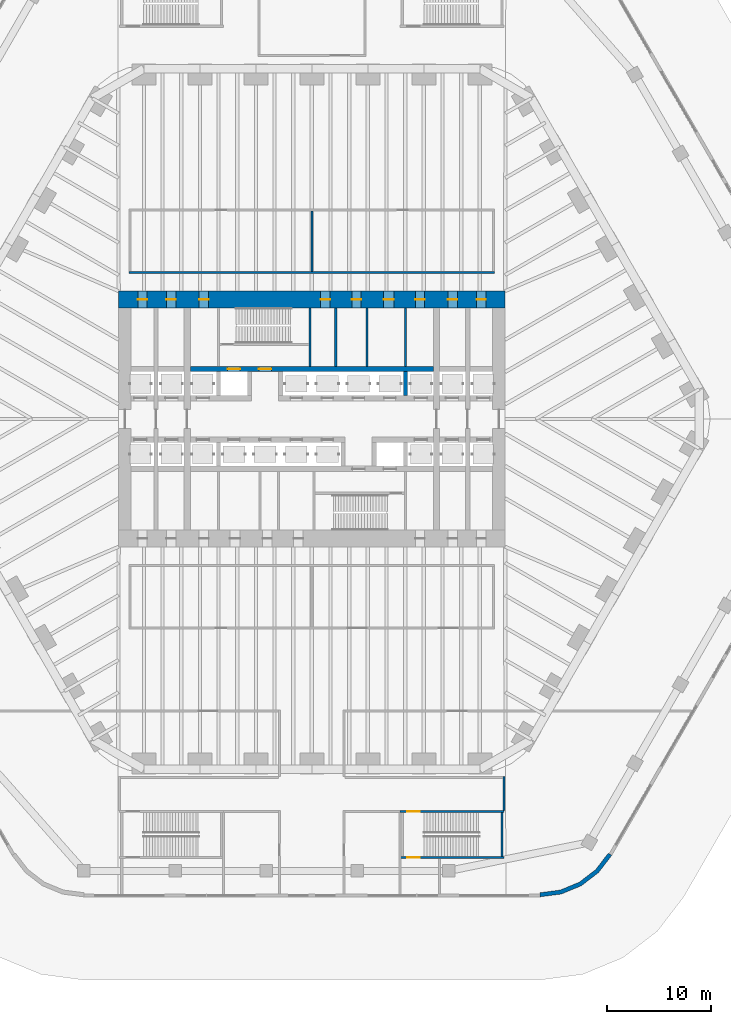
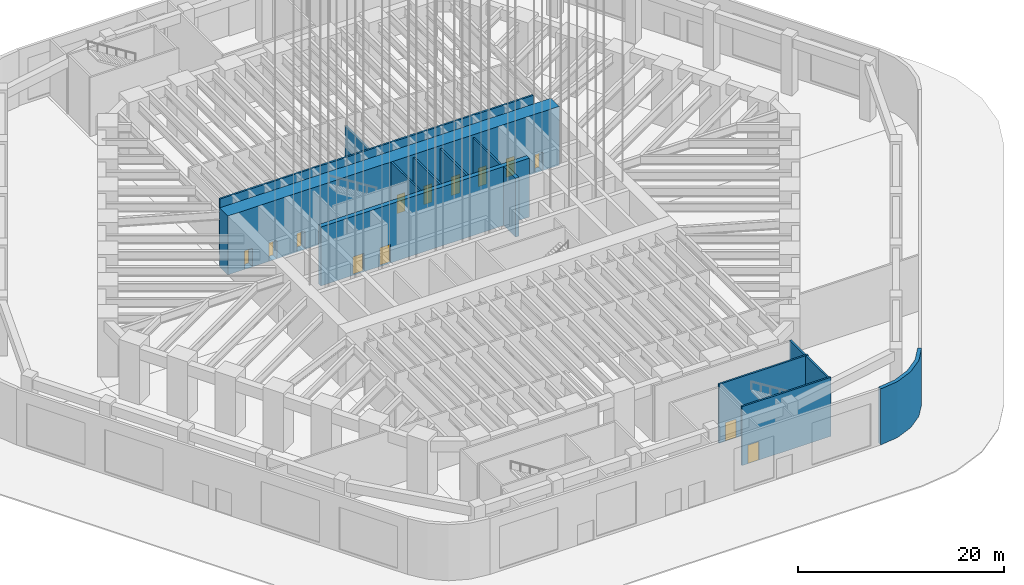
# One storey, part 8 of 23: 14 walls, 13 doors, 13 openings.
"""IFC4 building model written with IfcOpenShell, lengths in metres."""

from ifc_helpers import new_model, si_unit, direction, frame, frame_2d, origin, place, context, subcontext, project, spatial, polyline, rectangle, outline, extrude, material, layer, layer_set, type_object, element, fill, save


model = new_model("IFC4")

# Units and contexts
model_context = context("Model", 3, precision=1e-05, world=origin(), true_north=direction((0.0, 1.0)))
body_context = subcontext(model_context, "Body", "Model", "MODEL_VIEW")
ifc_project = project(units=[si_unit("LENGTHUNIT", "METRE"), si_unit("AREAUNIT", "SQUARE_METRE"), si_unit("VOLUMEUNIT", "CUBIC_METRE"), si_unit("PLANEANGLEUNIT", "RADIAN"), si_unit("MASSUNIT", "GRAM", prefix="KILO")], contexts=[model_context])

# Site, building, storey
site_placement = place(None, origin())
site = spatial("IfcSite", under=ifc_project, at=site_placement, CompositionType="ELEMENT")
building_placement = place(site_placement, origin())
building = spatial("IfcBuilding", under=site, at=building_placement, Name="Tarfa Lantern Tower", CompositionType="ELEMENT")
storey_placement = place(building_placement, origin())
storey = spatial("IfcBuildingStorey", under=building, at=storey_placement, Name="L00", CompositionType="ELEMENT", Elevation=0.0)

# Walls
ifc_material_1 = material(Name="Limestone cladding on blockwork", Category="masonry")
ifc_layer_1 = layer(ifc_material_1, 0.39990234375)
ifc_layer_set_1 = layer_set([ifc_layer_1], Name="EW2 CURVED STONE CORNER 400")
wall_type_1 = type_object("IfcWallType", Name="EW2 CURVED STONE CORNER 400", PredefinedType="SOLIDWALL", material=ifc_layer_set_1)
wall_1_placement = place(storey_placement, origin())
element("IfcWall", 1, at=wall_1_placement, inside=storey, type_object=wall_type_1, Name="Stone corner S-SE", PredefinedType="SOLIDWALL", context=body_context, shape_type="SweptSolid", body=[
    extrude(outline(polyline([(21.939208984375, -46.0), (24.009765625, -45.727294921875), (25.939208984375, -44.92822265625), (27.59619140625, -43.65673828125), (28.867431640625, -42.0), (28.52099609375, -41.800048828125), (27.313232421875, -43.3740234375), (25.7392578125, -44.581787109375), (23.90625, -45.341064453125), (21.939208984375, -45.60009765625), (21.939208984375, -46.0)])), origin(), (0.0, 0.0, 1.0), 6.64990234375),
])
ifc_material_2 = material(Name="Concrete blockwork", Category="masonry")
ifc_layer_2 = layer(ifc_material_2, 0.199951171875)
ifc_layer_set_2 = layer_set([ifc_layer_2], Name="IW1 BLOCKWORK PARTITION 200 EI 120")
wall_type_2 = type_object("IfcWallType", Name="IW1 BLOCKWORK PARTITION 200 EI 120", PredefinedType="PARTITIONING", material=ifc_layer_set_2)
for number, where, z_axis, x_axis, name in (
    (2, (9.0, 5.050048828125, 0.0), (0.0, 0.0, 1.0), (0.0, 1.0, 0.0), "Core partition"),
    (3, (2.300048828125, 5.050048828125, 0.0), (0.0, 0.0, 1.0), (0.0, 1.0, 0.0), "Core partition"),
    (4, (5.300048828125, 5.050048828125, 0.0), (0.0, 0.0, 1.0), (0.0, 1.0, 0.0), "Core partition"),
):
    element("IfcWall", number, at=place(storey_placement, frame(where, z_axis=z_axis, x_axis=x_axis)), inside=storey, type_object=wall_type_2, Name=name, PredefinedType="PARTITIONING", context=body_context, shape_type="SweptSolid", body=[
        extrude(rectangle(XDim=5.64990234375, YDim=0.199951171875, at=frame_2d((2.824951171875, 0.0))), origin(), (0.0, 0.0, 1.0), 6.64990234375),
    ])
wall_2_placement = place(storey_placement, frame((18.5, -37.699951171875, 0.0), z_axis=(0.0, 0.0, 1.0), x_axis=(0.0, 1.0, 0.0)))
element("IfcWall", 5, at=wall_2_placement, inside=storey, type_object=wall_type_2, Name="Fire-rated partition", PredefinedType="PARTITIONING", context=body_context, shape_type="SweptSolid", body=[
    extrude(rectangle(XDim=3.300048828125, YDim=0.199951171875, at=frame_2d((1.64990234375, 0.0))), origin(), (0.0, 0.0, 1.0), 6.64990234375),
])
ifc_material_3 = material(Name="Gypsum board on steel studs", Category="steel")
ifc_layer_3 = layer(ifc_material_3, 0.2099609375)
ifc_layer_set_3 = layer_set([ifc_layer_3], Name="IW2 ACOUSTIC PARTITION 200")
wall_type_3 = type_object("IfcWallType", Name="IW2 ACOUSTIC PARTITION 200", PredefinedType="PARTITIONING", material=ifc_layer_set_3)
wall_3_placement = place(storey_placement, frame((-17.60009765625, 14.10009765625, 0.0), z_axis=(0.0, 0.0, 1.0), x_axis=(1.0, 0.0, 0.0)))
element("IfcWall", 6, at=wall_3_placement, inside=storey, type_object=wall_type_3, Name="Partition", PredefinedType="PARTITIONING", context=body_context, shape_type="SweptSolid", body=[
    extrude(rectangle(XDim=35.2001953125, YDim=0.199951171875, at=frame_2d((17.60009765625, 0.0))), origin(), (0.0, 0.0, 1.0), 6.64990234375),
])
wall_4_placement = place(storey_placement, frame((0.0, 14.199951171875, 0.0), z_axis=(0.0, 0.0, 1.0), x_axis=(0.0, 1.0, 0.0)))
element("IfcWall", 7, at=wall_4_placement, inside=storey, type_object=wall_type_3, Name="Partition", PredefinedType="PARTITIONING", context=body_context, shape_type="SweptSolid", body=[
    extrude(rectangle(XDim=5.800048828125, YDim=0.199951171875, at=frame_2d((2.89990234375, 0.0))), origin(), (0.0, 0.0, 1.0), 5.593994140625),
])
ifc_material_4 = material(Name="Concrete C80/95", Category="concrete")
ifc_layer_4 = layer(ifc_material_4, 0.199951171875)
ifc_layer_set_4 = layer_set([ifc_layer_4], Name="SW12 CORE WALL 200")
wall_type_4 = type_object("IfcWallType", Name="SW12 CORE WALL 200", PredefinedType="SHEAR", material=ifc_layer_set_4)
wall_5_placement = place(storey_placement, frame((-0.199951171875, 5.050048828125, 0.0), z_axis=(0.0, 0.0, 1.0), x_axis=(0.0, 1.0, 0.0)))
element("IfcWall", 8, at=wall_5_placement, inside=storey, type_object=wall_type_4, Name="Core wall stair shaft N", PredefinedType="SHEAR", context=body_context, shape_type="SweptSolid", body=[
    extrude(rectangle(XDim=5.64990234375, YDim=0.199951171875, at=frame_2d((2.824951171875, 0.0))), origin(), (0.0, 0.0, 1.0), 7.0),
])

# Wall, opening, door
wall_6_placement = place(storey_placement, frame((8.5, -42.199951171875, 0.0), z_axis=(0.0, 0.0, 1.0), x_axis=(1.0, 0.0, 0.0)))
wall_6 = element("IfcWall", 9, at=wall_6_placement, inside=storey, type_object=wall_type_4, Name="Stair ST6 shaft wall", PredefinedType="SHEAR", context=body_context, shape_type="SweptSolid", body=[
    extrude(rectangle(XDim=10.0, YDim=0.199951171875, at=frame_2d((5.0, 0.0))), origin(), (0.0, 0.0, 1.0), 7.0),
])
opening_1_placement = place(wall_6_placement, frame((0.699951171875, 0.0, 0.0)))
opening_1 = element("IfcOpeningElement", 10, at=opening_1_placement, cuts=wall_6, Name="Opening D57", PredefinedType="OPENING", context=body_context, shape_type="SweptSolid", body=[
    extrude(rectangle(XDim=1.199951171875, YDim=2.199951171875, at=frame_2d((0.60009765625, 1.10009765625))), frame((0.0, 0.10986328125, 0.0), z_axis=(0.0, -1.0, 0.0), x_axis=(1.0, 0.0, 0.0)), (0.0, 0.0, 1.0), 0.219970703125),
])
ifc_material_5 = material(Name="Steel fire door", Category="steel")
door_type_1 = type_object("IfcDoorType", Name="DF9 STAIR DOOR 1200x2200", OperationType="SINGLE_SWING_LEFT", PredefinedType="DOOR", material=ifc_material_5)
door_1_placement = place(opening_1_placement, frame((1.199951171875, 0.0, 0.0), z_axis=(0.0, 0.0, 1.0), x_axis=(-1.0, 0.0, 0.0)))
door_1 = element("IfcDoor", 11, at=door_1_placement, inside=storey, type_object=door_type_1, Name="Stair door", OperationType="SINGLE_SWING_LEFT", OverallHeight=2.199951171875, OverallWidth=1.199951171875, PredefinedType="DOOR", context=body_context, shape_type="SweptSolid", body=[
    extrude(rectangle(XDim=1.199951171875, YDim=2.199951171875, at=frame_2d((0.60009765625, 1.10009765625))), frame((0.0, 0.02490234375, 0.0), z_axis=(0.0, -1.0, 0.0), x_axis=(1.0, 0.0, 0.0)), (0.0, 0.0, 1.0), 0.050048828125),
])
fill(opening_1, door_1)

wall_7_placement = place(storey_placement, frame((18.5, -37.800048828125, 0.0), z_axis=(0.0, 0.0, 1.0), x_axis=(-1.0, 0.0, 0.0)))
wall_7 = element("IfcWall", 12, at=wall_7_placement, inside=storey, type_object=wall_type_4, Name="Stair ST6 shaft wall", PredefinedType="SHEAR", context=body_context, shape_type="SweptSolid", body=[
    extrude(rectangle(XDim=10.0, YDim=0.199951171875, at=frame_2d((5.0, 0.0))), origin(), (0.0, 0.0, 1.0), 7.0),
])
opening_2_placement = place(wall_7_placement, frame((8.10009765625, 0.0, 0.0)))
opening_2 = element("IfcOpeningElement", 13, at=opening_2_placement, cuts=wall_7, Name="Opening D32", PredefinedType="OPENING", context=body_context, shape_type="SweptSolid", body=[
    extrude(rectangle(XDim=1.199951171875, YDim=2.199951171875, at=frame_2d((0.60009765625, 1.10009765625))), frame((0.0, 0.10986328125, 0.0), z_axis=(0.0, -1.0, 0.0), x_axis=(1.0, 0.0, 0.0)), (0.0, 0.0, 1.0), 0.219970703125),
])
door_2_placement = place(opening_2_placement, origin())
door_2 = element("IfcDoor", 14, at=door_2_placement, inside=storey, type_object=door_type_1, Name="Stair door", OperationType="SINGLE_SWING_LEFT", OverallHeight=2.199951171875, OverallWidth=1.199951171875, PredefinedType="DOOR", context=body_context, shape_type="SweptSolid", body=[
    extrude(rectangle(XDim=1.199951171875, YDim=2.199951171875, at=frame_2d((0.60009765625, 1.10009765625))), frame((0.0, 0.02490234375, 0.0), z_axis=(0.0, -1.0, 0.0), x_axis=(1.0, 0.0, 0.0)), (0.0, 0.0, 1.0), 0.050048828125),
])
fill(opening_2, door_2)

# Wall
wall_8_placement = place(storey_placement, frame((18.300048828125, -42.10009765625, 0.0), z_axis=(0.0, 0.0, 1.0), x_axis=(0.0, 1.0, 0.0)))
element("IfcWall", 15, at=wall_8_placement, inside=storey, type_object=wall_type_4, Name="Stair ST6 shaft wall", PredefinedType="SHEAR", context=body_context, shape_type="SweptSolid", body=[
    extrude(rectangle(XDim=4.2001953125, YDim=0.199951171875, at=frame_2d((2.10009765625, 0.0))), origin(), (0.0, 0.0, 1.0), 7.0),
])

# Wall, openings, doors
ifc_layer_5 = layer(ifc_material_4, 0.5)
ifc_layer_set_5 = layer_set([ifc_layer_5], Name="SW5 CORE WALL 500")
wall_type_5 = type_object("IfcWallType", Name="SW5 CORE WALL 500", PredefinedType="SHEAR", material=ifc_layer_set_5)
wall_9_placement = place(storey_placement, frame((-11.699951171875, 4.800048828125, 0.0), z_axis=(0.0, 0.0, 1.0), x_axis=(1.0, 0.0, 0.0)))
wall_9 = element("IfcWall", 16, at=wall_9_placement, inside=storey, type_object=wall_type_5, Name="Core wall rear N", PredefinedType="SHEAR", context=body_context, shape_type="SweptSolid", body=[
    extrude(rectangle(XDim=23.39990234375, YDim=0.5, at=frame_2d((11.699951171875, 0.0))), origin(), (0.0, 0.0, 1.0), 7.0),
])
opening_3_placement = place(wall_9_placement, frame((6.60009765625, 0.0, 0.0)))
opening_3 = element("IfcOpeningElement", 17, at=opening_3_placement, cuts=wall_9, Name="Opening D13", PredefinedType="OPENING", context=body_context, shape_type="SweptSolid", body=[
    extrude(rectangle(XDim=1.199951171875, YDim=2.199951171875, at=frame_2d((0.60009765625, 1.10009765625))), frame((0.0, 0.260009765625, 0.0), z_axis=(0.0, -1.0, 0.0), x_axis=(1.0, 0.0, 0.0)), (0.0, 0.0, 1.0), 0.52001953125),
])
opening_4_placement = place(wall_9_placement, frame((3.60009765625, 0.0, 0.0)))
opening_4 = element("IfcOpeningElement", 18, at=opening_4_placement, cuts=wall_9, Name="Opening LD01", PredefinedType="OPENING", context=body_context, shape_type="SweptSolid", body=[
    extrude(rectangle(XDim=1.199951171875, YDim=2.199951171875, at=frame_2d((0.60009765625, 1.10009765625))), frame((0.0, 0.260009765625, 0.0), z_axis=(0.0, -1.0, 0.0), x_axis=(1.0, 0.0, 0.0)), (0.0, 0.0, 1.0), 0.52001953125),
])
door_type_2 = type_object("IfcDoorType", Name="DF1 FIREFIGHTING LOBBY DOOR 1200x2200", OperationType="SINGLE_SWING_LEFT", PredefinedType="DOOR", material=ifc_material_5)
door_3_placement = place(opening_3_placement, origin())
door_3 = element("IfcDoor", 19, at=door_3_placement, inside=storey, type_object=door_type_2, Name="Firefighting lobby door", OperationType="SINGLE_SWING_LEFT", OverallHeight=2.199951171875, OverallWidth=1.199951171875, PredefinedType="DOOR", context=body_context, shape_type="SweptSolid", body=[
    extrude(rectangle(XDim=1.199951171875, YDim=2.199951171875, at=frame_2d((0.60009765625, 1.10009765625))), frame((0.0, 0.02490234375, 0.0), z_axis=(0.0, -1.0, 0.0), x_axis=(1.0, 0.0, 0.0)), (0.0, 0.0, 1.0), 0.050048828125),
])
fill(opening_3, door_3)
ifc_material_6 = material(Name="Stainless steel lift door", Category="steel")
door_type_3 = type_object("IfcDoorType", Name="LD1 LIFT LANDING DOOR 1200x2200", OperationType="SLIDING_TO_LEFT", PredefinedType="DOOR", material=ifc_material_6)
door_4_placement = place(opening_4_placement, origin())
door_4 = element("IfcDoor", 20, at=door_4_placement, inside=storey, type_object=door_type_3, Name="Landing door FL1", OperationType="SLIDING_TO_LEFT", OverallHeight=2.199951171875, OverallWidth=1.199951171875, PredefinedType="DOOR", context=body_context, shape_type="SweptSolid", body=[
    extrude(rectangle(XDim=1.199951171875, YDim=2.199951171875, at=frame_2d((0.60009765625, 1.10009765625))), frame((0.0, 0.02490234375, 0.0), z_axis=(0.0, -1.0, 0.0), x_axis=(1.0, 0.0, 0.0)), (0.0, 0.0, 1.0), 0.050048828125),
])
fill(opening_4, door_4)

# Wall
ifc_layer_6 = layer(ifc_material_4, 0.39990234375)
ifc_layer_set_6 = layer_set([ifc_layer_6], Name="SW6 CORE WALL 400")
wall_type_6 = type_object("IfcWallType", Name="SW6 CORE WALL 400", PredefinedType="SHEAR", material=ifc_layer_set_6)
wall_10_placement = place(storey_placement, frame((9.0, 2.25, 0.0), z_axis=(0.0, 0.0, 1.0), x_axis=(0.0, 1.0, 0.0)))
element("IfcWall", 21, at=wall_10_placement, inside=storey, type_object=wall_type_6, Name="Core wall divider N", PredefinedType="SHEAR", context=body_context, shape_type="SweptSolid", body=[
    extrude(rectangle(XDim=2.300048828125, YDim=0.39990234375, at=frame_2d((1.14990234375, 0.0))), origin(), (0.0, 0.0, 1.0), 7.0),
])

# Wall, openings, doors
ifc_layer_7 = layer(ifc_material_4, 1.60009765625)
ifc_layer_set_7 = layer_set([ifc_layer_7], Name="SW7 CORE WALL 1600")
wall_type_7 = type_object("IfcWallType", Name="SW7 CORE WALL 1600", PredefinedType="SHEAR", material=ifc_layer_set_7)
wall_11_placement = place(storey_placement, frame((-18.60009765625, 11.5, 0.0), z_axis=(0.0, 0.0, 1.0), x_axis=(1.0, 0.0, 0.0)))
wall_11 = element("IfcWall", 22, at=wall_11_placement, inside=storey, type_object=wall_type_7, Name="Core wall N", PredefinedType="SHEAR", context=body_context, shape_type="SweptSolid", body=[
    extrude(rectangle(XDim=37.2001953125, YDim=1.60009765625, at=frame_2d((18.60009765625, 0.0))), origin(), (0.0, 0.0, 1.0), 7.0),
])
opening_5_placement = place(wall_11_placement, frame((19.449951171875, 0.0, 0.0)))
opening_5 = element("IfcOpeningElement", 23, at=opening_5_placement, cuts=wall_11, Name="Opening D17", PredefinedType="OPENING", context=body_context, shape_type="SweptSolid", body=[
    extrude(rectangle(XDim=0.89990234375, YDim=2.199951171875, at=frame_2d((0.449951171875, 1.10009765625))), frame((0.0, 0.81005859375, 0.0), z_axis=(0.0, -1.0, 0.0), x_axis=(1.0, 0.0, 0.0)), (0.0, 0.0, 1.0), 1.6201171875),
])
opening_6_placement = place(wall_11_placement, frame((22.449951171875, 0.0, 0.0)))
opening_6 = element("IfcOpeningElement", 24, at=opening_6_placement, cuts=wall_11, Name="Opening D19", PredefinedType="OPENING", context=body_context, shape_type="SweptSolid", body=[
    extrude(rectangle(XDim=0.89990234375, YDim=2.199951171875, at=frame_2d((0.449951171875, 1.10009765625))), frame((0.0, 0.81005859375, 0.0), z_axis=(0.0, -1.0, 0.0), x_axis=(1.0, 0.0, 0.0)), (0.0, 0.0, 1.0), 1.6201171875),
])
opening_7_placement = place(wall_11_placement, frame((25.5, 0.0, 0.0)))
opening_7 = element("IfcOpeningElement", 25, at=opening_7_placement, cuts=wall_11, Name="Opening D21", PredefinedType="OPENING", context=body_context, shape_type="SweptSolid", body=[
    extrude(rectangle(XDim=1.0, YDim=2.199951171875, at=frame_2d((0.5, 1.10009765625))), frame((0.0, 0.81005859375, 0.0), z_axis=(0.0, -1.0, 0.0), x_axis=(1.0, 0.0, 0.0)), (0.0, 0.0, 1.0), 1.6201171875),
])
opening_8_placement = place(wall_11_placement, frame((1.85009765625, 0.0, 0.0)))
opening_8 = element("IfcOpeningElement", 26, at=opening_8_placement, cuts=wall_11, Name="Opening D11", PredefinedType="OPENING", context=body_context, shape_type="SweptSolid", body=[
    extrude(rectangle(XDim=0.89990234375, YDim=2.199951171875, at=frame_2d((0.449951171875, 1.10009765625))), frame((0.0, 0.81005859375, 0.0), z_axis=(0.0, -1.0, 0.0), x_axis=(1.0, 0.0, 0.0)), (0.0, 0.0, 1.0), 1.6201171875),
])
opening_9_placement = place(wall_11_placement, frame((4.60009765625, 0.0, 0.0)))
opening_9 = element("IfcOpeningElement", 27, at=opening_9_placement, cuts=wall_11, Name="Opening D07", PredefinedType="OPENING", context=body_context, shape_type="SweptSolid", body=[
    extrude(rectangle(XDim=0.89990234375, YDim=2.199951171875, at=frame_2d((0.449951171875, 1.10009765625))), frame((0.0, 0.81005859375, 0.0), z_axis=(0.0, -1.0, 0.0), x_axis=(1.0, 0.0, 0.0)), (0.0, 0.0, 1.0), 1.6201171875),
])
opening_10_placement = place(wall_11_placement, frame((7.75, 0.0, 0.0)))
opening_10 = element("IfcOpeningElement", 28, at=opening_10_placement, cuts=wall_11, Name="Opening D09", PredefinedType="OPENING", context=body_context, shape_type="SweptSolid", body=[
    extrude(rectangle(XDim=0.89990234375, YDim=2.199951171875, at=frame_2d((0.449951171875, 1.10009765625))), frame((0.0, 0.81005859375, 0.0), z_axis=(0.0, -1.0, 0.0), x_axis=(1.0, 0.0, 0.0)), (0.0, 0.0, 1.0), 1.6201171875),
])
opening_11_placement = place(wall_11_placement, frame((28.550048828125, 0.0, 0.0)))
opening_11 = element("IfcOpeningElement", 29, at=opening_11_placement, cuts=wall_11, Name="Opening D05", PredefinedType="OPENING", context=body_context, shape_type="SweptSolid", body=[
    extrude(rectangle(XDim=0.89990234375, YDim=2.199951171875, at=frame_2d((0.449951171875, 1.10009765625))), frame((0.0, 0.81005859375, 0.0), z_axis=(0.0, -1.0, 0.0), x_axis=(1.0, 0.0, 0.0)), (0.0, 0.0, 1.0), 1.6201171875),
])
opening_12_placement = place(wall_11_placement, frame((31.699951171875, 0.0, 0.0)))
opening_12 = element("IfcOpeningElement", 30, at=opening_12_placement, cuts=wall_11, Name="Opening D01", PredefinedType="OPENING", context=body_context, shape_type="SweptSolid", body=[
    extrude(rectangle(XDim=0.89990234375, YDim=2.199951171875, at=frame_2d((0.449951171875, 1.10009765625))), frame((0.0, 0.81005859375, 0.0), z_axis=(0.0, -1.0, 0.0), x_axis=(1.0, 0.0, 0.0)), (0.0, 0.0, 1.0), 1.6201171875),
])
opening_13_placement = place(wall_11_placement, frame((34.449951171875, 0.0, 0.0)))
opening_13 = element("IfcOpeningElement", 31, at=opening_13_placement, cuts=wall_11, Name="Opening D03", PredefinedType="OPENING", context=body_context, shape_type="SweptSolid", body=[
    extrude(rectangle(XDim=0.89990234375, YDim=2.199951171875, at=frame_2d((0.449951171875, 1.10009765625))), frame((0.0, 0.81005859375, 0.0), z_axis=(0.0, -1.0, 0.0), x_axis=(1.0, 0.0, 0.0)), (0.0, 0.0, 1.0), 1.6201171875),
])
door_type_4 = type_object("IfcDoorType", Name="DF3 CORE ROOM DOOR 900x2200", OperationType="SINGLE_SWING_LEFT", PredefinedType="DOOR", material=ifc_material_5)
door_5_placement = place(opening_5_placement, frame((0.89990234375, 0.0, 0.0), z_axis=(0.0, 0.0, 1.0), x_axis=(-1.0, 0.0, 0.0)))
door_5 = element("IfcDoor", 32, at=door_5_placement, inside=storey, type_object=door_type_4, Name="Core door", OperationType="SINGLE_SWING_RIGHT", OverallHeight=2.199951171875, OverallWidth=0.89990234375, PredefinedType="DOOR", context=body_context, shape_type="SweptSolid", body=[
    extrude(rectangle(XDim=0.89990234375, YDim=2.199951171875, at=frame_2d((0.449951171875, 1.10009765625))), frame((0.0, 0.02490234375, 0.0), z_axis=(0.0, -1.0, 0.0), x_axis=(1.0, 0.0, 0.0)), (0.0, 0.0, 1.0), 0.050048828125),
])
fill(opening_5, door_5)
door_6_placement = place(opening_6_placement, frame((0.89990234375, 0.0, 0.0), z_axis=(0.0, 0.0, 1.0), x_axis=(-1.0, 0.0, 0.0)))
door_6 = element("IfcDoor", 33, at=door_6_placement, inside=storey, type_object=door_type_4, Name="Core door", OperationType="SINGLE_SWING_RIGHT", OverallHeight=2.199951171875, OverallWidth=0.89990234375, PredefinedType="DOOR", context=body_context, shape_type="SweptSolid", body=[
    extrude(rectangle(XDim=0.89990234375, YDim=2.199951171875, at=frame_2d((0.449951171875, 1.10009765625))), frame((0.0, 0.02490234375, 0.0), z_axis=(0.0, -1.0, 0.0), x_axis=(1.0, 0.0, 0.0)), (0.0, 0.0, 1.0), 0.050048828125),
])
fill(opening_6, door_6)
door_type_5 = type_object("IfcDoorType", Name="DF4 CORE ROOM DOOR 1000x2200", OperationType="SINGLE_SWING_LEFT", PredefinedType="DOOR", material=ifc_material_5)
door_7_placement = place(opening_7_placement, frame((1.0, 0.0, 0.0), z_axis=(0.0, 0.0, 1.0), x_axis=(-1.0, 0.0, 0.0)))
door_7 = element("IfcDoor", 34, at=door_7_placement, inside=storey, type_object=door_type_5, Name="Core door", OperationType="SINGLE_SWING_RIGHT", OverallHeight=2.199951171875, OverallWidth=1.0, PredefinedType="DOOR", context=body_context, shape_type="SweptSolid", body=[
    extrude(rectangle(XDim=1.0, YDim=2.199951171875, at=frame_2d((0.5, 1.10009765625))), frame((0.0, 0.02490234375, 0.0), z_axis=(0.0, -1.0, 0.0), x_axis=(1.0, 0.0, 0.0)), (0.0, 0.0, 1.0), 0.050048828125),
])
fill(opening_7, door_7)
door_type_6 = type_object("IfcDoorType", Name="DF5 RISER DOOR 900x2200", OperationType="SINGLE_SWING_LEFT", PredefinedType="DOOR", material=ifc_material_5)
door_8_placement = place(opening_8_placement, frame((0.89990234375, 0.0, 0.0), z_axis=(0.0, 0.0, 1.0), x_axis=(-1.0, 0.0, 0.0)))
door_8 = element("IfcDoor", 35, at=door_8_placement, inside=storey, type_object=door_type_6, Name="Riser door", OperationType="SINGLE_SWING_LEFT", OverallHeight=2.199951171875, OverallWidth=0.89990234375, PredefinedType="DOOR", context=body_context, shape_type="SweptSolid", body=[
    extrude(rectangle(XDim=0.89990234375, YDim=2.199951171875, at=frame_2d((0.449951171875, 1.10009765625))), frame((0.0, 0.02490234375, 0.0), z_axis=(0.0, -1.0, 0.0), x_axis=(1.0, 0.0, 0.0)), (0.0, 0.0, 1.0), 0.050048828125),
])
fill(opening_8, door_8)
door_9_placement = place(opening_9_placement, frame((0.89990234375, 0.0, 0.0), z_axis=(0.0, 0.0, 1.0), x_axis=(-1.0, 0.0, 0.0)))
door_9 = element("IfcDoor", 36, at=door_9_placement, inside=storey, type_object=door_type_6, Name="Riser door", OperationType="SINGLE_SWING_LEFT", OverallHeight=2.199951171875, OverallWidth=0.89990234375, PredefinedType="DOOR", context=body_context, shape_type="SweptSolid", body=[
    extrude(rectangle(XDim=0.89990234375, YDim=2.199951171875, at=frame_2d((0.449951171875, 1.10009765625))), frame((0.0, 0.02490234375, 0.0), z_axis=(0.0, -1.0, 0.0), x_axis=(1.0, 0.0, 0.0)), (0.0, 0.0, 1.0), 0.050048828125),
])
fill(opening_9, door_9)
door_10_placement = place(opening_10_placement, frame((0.89990234375, 0.0, 0.0), z_axis=(0.0, 0.0, 1.0), x_axis=(-1.0, 0.0, 0.0)))
door_10 = element("IfcDoor", 37, at=door_10_placement, inside=storey, type_object=door_type_6, Name="Riser door", OperationType="SINGLE_SWING_LEFT", OverallHeight=2.199951171875, OverallWidth=0.89990234375, PredefinedType="DOOR", context=body_context, shape_type="SweptSolid", body=[
    extrude(rectangle(XDim=0.89990234375, YDim=2.199951171875, at=frame_2d((0.449951171875, 1.10009765625))), frame((0.0, 0.02490234375, 0.0), z_axis=(0.0, -1.0, 0.0), x_axis=(1.0, 0.0, 0.0)), (0.0, 0.0, 1.0), 0.050048828125),
])
fill(opening_10, door_10)
door_11_placement = place(opening_11_placement, frame((0.89990234375, 0.0, 0.0), z_axis=(0.0, 0.0, 1.0), x_axis=(-1.0, 0.0, 0.0)))
door_11 = element("IfcDoor", 38, at=door_11_placement, inside=storey, type_object=door_type_6, Name="Riser door", OperationType="SINGLE_SWING_RIGHT", OverallHeight=2.199951171875, OverallWidth=0.89990234375, PredefinedType="DOOR", context=body_context, shape_type="SweptSolid", body=[
    extrude(rectangle(XDim=0.89990234375, YDim=2.199951171875, at=frame_2d((0.449951171875, 1.10009765625))), frame((0.0, 0.02490234375, 0.0), z_axis=(0.0, -1.0, 0.0), x_axis=(1.0, 0.0, 0.0)), (0.0, 0.0, 1.0), 0.050048828125),
])
fill(opening_11, door_11)
door_12_placement = place(opening_12_placement, frame((0.89990234375, 0.0, 0.0), z_axis=(0.0, 0.0, 1.0), x_axis=(-1.0, 0.0, 0.0)))
door_12 = element("IfcDoor", 39, at=door_12_placement, inside=storey, type_object=door_type_6, Name="Riser door", OperationType="SINGLE_SWING_RIGHT", OverallHeight=2.199951171875, OverallWidth=0.89990234375, PredefinedType="DOOR", context=body_context, shape_type="SweptSolid", body=[
    extrude(rectangle(XDim=0.89990234375, YDim=2.199951171875, at=frame_2d((0.449951171875, 1.10009765625))), frame((0.0, 0.02490234375, 0.0), z_axis=(0.0, -1.0, 0.0), x_axis=(1.0, 0.0, 0.0)), (0.0, 0.0, 1.0), 0.050048828125),
])
fill(opening_12, door_12)
door_13_placement = place(opening_13_placement, frame((0.89990234375, 0.0, 0.0), z_axis=(0.0, 0.0, 1.0), x_axis=(-1.0, 0.0, 0.0)))
door_13 = element("IfcDoor", 40, at=door_13_placement, inside=storey, type_object=door_type_6, Name="Riser door", OperationType="SINGLE_SWING_RIGHT", OverallHeight=2.199951171875, OverallWidth=0.89990234375, PredefinedType="DOOR", context=body_context, shape_type="SweptSolid", body=[
    extrude(rectangle(XDim=0.89990234375, YDim=2.199951171875, at=frame_2d((0.449951171875, 1.10009765625))), frame((0.0, 0.02490234375, 0.0), z_axis=(0.0, -1.0, 0.0), x_axis=(1.0, 0.0, 0.0)), (0.0, 0.0, 1.0), 0.050048828125),
])
fill(opening_13, door_13)

save(model, "model.ifc")
